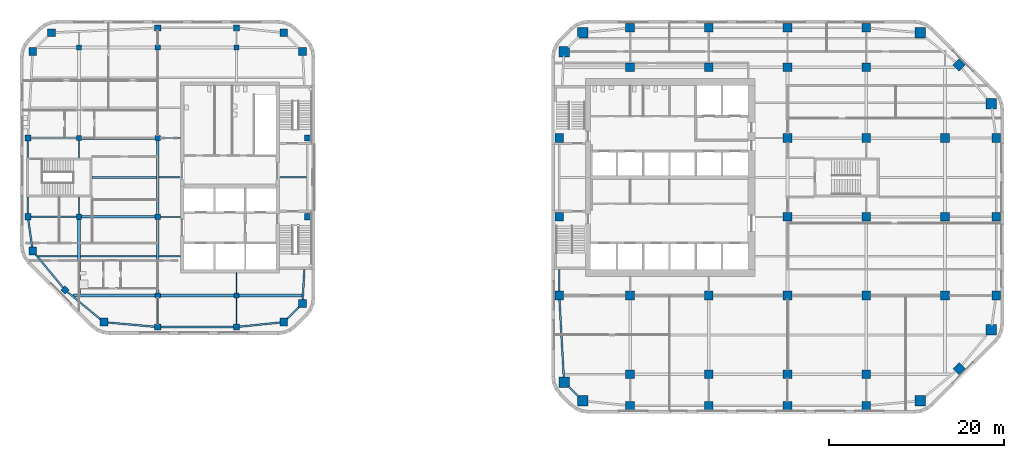
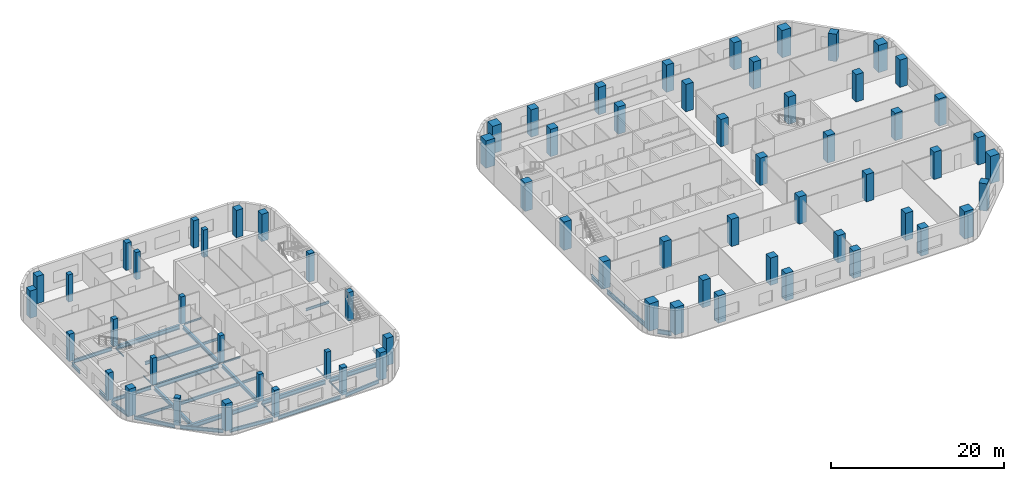
# One storey, part 1 of 14: 69 columns, 36 beams.
"""IFC4 building model written with IfcOpenShell, lengths in metres."""

from ifc_helpers import new_model, si_unit, direction, frame, origin, origin_2d, place, context, subcontext, project, spatial, rectangle, i_section, extrude, material, material_profile, profile_set, type_object, element, save


model = new_model("IFC4")

# Units and contexts
model_context = context("Model", 3, precision=1e-05, world=origin(), true_north=direction((0.0, 1.0)))
body_context = subcontext(model_context, "Body", "Model", "MODEL_VIEW")
ifc_project = project(units=[si_unit("LENGTHUNIT", "METRE"), si_unit("AREAUNIT", "SQUARE_METRE"), si_unit("VOLUMEUNIT", "CUBIC_METRE"), si_unit("PLANEANGLEUNIT", "RADIAN"), si_unit("MASSUNIT", "GRAM", prefix="KILO")], contexts=[model_context])

# Site, building, storey
site_placement = place(None, origin())
site = spatial("IfcSite", under=ifc_project, at=site_placement, CompositionType="ELEMENT")
building_placement = place(site_placement, origin())
building = spatial("IfcBuilding", under=site, at=building_placement, Name="Cinnabar Reach Civic Tower", CompositionType="ELEMENT")
storey_placement = place(building_placement, frame((0.0, 0.0, 108.0)))
storey = spatial("IfcBuildingStorey", under=building, at=storey_placement, Name="L25", CompositionType="ELEMENT", Elevation=108.0)

# Columns
ifc_material_1 = material(Name="Concrete C70", Category="concrete")
ifc_material_profile_1 = material_profile(ifc_material_1, rectangle(XDim=1.0, YDim=1.0, at=origin_2d()), Name="RC1000")
ifc_profile_set_1 = profile_set([ifc_material_profile_1], Name="Concrete C70")
column_type_1 = type_object("IfcColumnType", Name="RC1000 column R 240", PredefinedType="COLUMN", material=ifc_profile_set_1)
for number, where, z_axis, x_axis, name in (
    (1, (9.0, 5.4, 0.0), (0.0, 0.0, 1.0), (1.0, 0.0, 0.0), "Column T1-Z2-F0-1"),
    (2, (18.0, 5.4, 0.0), (0.0, 0.0, 1.0), (1.0, 0.0, 0.0), "Column T1-Z2-F0-2"),
    (3, (27.0, 5.4, 0.0), (0.0, 0.0, 1.0), (1.0, 0.0, 0.0), "Column T1-Z2-F0-3"),
    (4, (36.0, 5.4, 0.0), (0.0, 0.0, 1.0), (1.0, 0.0, 0.0), "Column T1-Z2-F0-4"),
    (5, (46.6136, 9.6364, 0.0), (0.0, 0.0, 1.0), (0.707106781187, 0.707106781187, 0.0), "Column T1-Z2-F1-M"),
    (6, (50.85, 18.0, 0.0), (0.0, 0.0, 1.0), (1.0, 0.0, 0.0), "Column T1-Z2-F2-2"),
    (7, (50.85, 27.0, 0.0), (0.0, 0.0, 1.0), (1.0, 0.0, 0.0), "Column T1-Z2-F2-3"),
    (8, (50.85, 36.0, 0.0), (0.0, 0.0, 1.0), (1.0, 0.0, 0.0), "Column T1-Z2-F2-4"),
    (9, (46.6136, 44.3636, 0.0), (0.0, 0.0, 1.0), (0.707106781187, 0.707106781187, 0.0), "Column T1-Z2-F3-M"),
    (10, (9.0, 48.6, 0.0), (0.0, 0.0, 1.0), (1.0, 0.0, 0.0), "Column T1-Z2-F4-1"),
    (11, (18.0, 48.6, 0.0), (0.0, 0.0, 1.0), (1.0, 0.0, 0.0), "Column T1-Z2-F4-2"),
    (12, (27.0, 48.6, 0.0), (0.0, 0.0, 1.0), (1.0, 0.0, 0.0), "Column T1-Z2-F4-3"),
    (13, (36.0, 48.6, 0.0), (0.0, 0.0, 1.0), (1.0, 0.0, 0.0), "Column T1-Z2-F4-4"),
    (14, (0.9, 18.0, 0.0), (0.0, 0.0, 1.0), (1.0, 0.0, 0.0), "Column T1-Z2-F6-2"),
):
    element("IfcColumn", number, at=place(storey_placement, frame(where, z_axis=z_axis, x_axis=x_axis)), inside=storey, type_object=column_type_1, Name=name, PredefinedType="COLUMN", context=body_context, shape_type="SweptSolid", body=[
        extrude(rectangle(XDim=1.0, YDim=1.0, at=origin_2d()), origin(), (0.0, 0.0, 1.0), 3.85),
    ])
for number, where, z_axis, x_axis, name in (
    (15, (0.9, 27.0, 0.0), (0.0, 0.0, 1.0), (1.0, 0.0, 0.0), "Column T1-Z2-F6-3"),
    (16, (0.9, 36.0, 0.0), (0.0, 0.0, 1.0), (1.0, 0.0, 0.0), "Column T1-Z2-F6-4"),
):
    element("IfcColumn", number, at=place(storey_placement, frame(where, z_axis=z_axis, x_axis=x_axis)), inside=storey, type_object=column_type_1, Name=name, PredefinedType="COLUMN", context=body_context, shape_type="SweptSolid", body=[
        extrude(rectangle(XDim=1.0, YDim=1.0, at=origin_2d()), origin(), (0.0, 0.0, 1.0), 4.0),
    ])
for number, where, z_axis, x_axis, name in (
    (17, (9.0, 9.0, 0.0), (0.0, 0.0, 1.0), (1.0, 0.0, 0.0), "Column T1-Z2-I9_9"),
    (18, (9.0, 18.0, 0.0), (0.0, 0.0, 1.0), (1.0, 0.0, 0.0), "Column T1-Z2-I9_18"),
    (19, (9.0, 44.1, 0.0), (0.0, 0.0, 1.0), (1.0, 0.0, 0.0), "Column T1-Z2-I9_45"),
    (20, (18.0, 9.0, 0.0), (0.0, 0.0, 1.0), (1.0, 0.0, 0.0), "Column T1-Z2-I18_9"),
    (21, (18.0, 18.0, 0.0), (0.0, 0.0, 1.0), (1.0, 0.0, 0.0), "Column T1-Z2-I18_18"),
    (22, (18.0, 44.1, 0.0), (0.0, 0.0, 1.0), (1.0, 0.0, 0.0), "Column T1-Z2-I18_45"),
    (23, (27.0, 9.0, 0.0), (0.0, 0.0, 1.0), (1.0, 0.0, 0.0), "Column T1-Z2-I27_9"),
    (24, (27.0, 18.0, 0.0), (0.0, 0.0, 1.0), (1.0, 0.0, 0.0), "Column T1-Z2-I27_18"),
    (25, (27.0, 27.0, 0.0), (0.0, 0.0, 1.0), (1.0, 0.0, 0.0), "Column T1-Z2-I27_27"),
    (26, (27.0, 36.0, 0.0), (0.0, 0.0, 1.0), (1.0, 0.0, 0.0), "Column T1-Z2-I27_36"),
    (27, (27.0, 44.1, 0.0), (0.0, 0.0, 1.0), (1.0, 0.0, 0.0), "Column T1-Z2-I27_45"),
    (28, (36.0, 9.0, 0.0), (0.0, 0.0, 1.0), (1.0, 0.0, 0.0), "Column T1-Z2-I36_9"),
    (29, (36.0, 18.0, 0.0), (0.0, 0.0, 1.0), (1.0, 0.0, 0.0), "Column T1-Z2-I36_18"),
    (30, (36.0, 27.0, 0.0), (0.0, 0.0, 1.0), (1.0, 0.0, 0.0), "Column T1-Z2-I36_27"),
    (31, (36.0, 36.0, 0.0), (0.0, 0.0, 1.0), (1.0, 0.0, 0.0), "Column T1-Z2-I36_36"),
    (32, (36.0, 44.1, 0.0), (0.0, 0.0, 1.0), (1.0, 0.0, 0.0), "Column T1-Z2-I36_45"),
    (33, (45.0, 18.0, 0.0), (0.0, 0.0, 1.0), (1.0, 0.0, 0.0), "Column T1-Z2-I45_18"),
    (34, (45.0, 27.0, 0.0), (0.0, 0.0, 1.0), (1.0, 0.0, 0.0), "Column T1-Z2-I45_27"),
    (35, (45.0, 36.0, 0.0), (0.0, 0.0, 1.0), (1.0, 0.0, 0.0), "Column T1-Z2-I45_36"),
):
    element("IfcColumn", number, at=place(storey_placement, frame(where, z_axis=z_axis, x_axis=x_axis)), inside=storey, type_object=column_type_1, Name=name, PredefinedType="COLUMN", context=body_context, shape_type="SweptSolid", body=[
        extrude(rectangle(XDim=1.0, YDim=1.0, at=origin_2d()), origin(), (0.0, 0.0, 1.0), 3.85),
    ])
ifc_material_2 = material(Name="Concrete C80", Category="concrete")
ifc_material_profile_2 = material_profile(ifc_material_2, rectangle(XDim=1.2, YDim=1.2, at=origin_2d()), Name="RC1200")
ifc_profile_set_2 = profile_set([ifc_material_profile_2], Name="Concrete C80")
column_type_2 = type_object("IfcColumnType", Name="RC1200 column R 240", PredefinedType="COLUMN", material=ifc_profile_set_2)
for number, where, z_axis, x_axis, name in (
    (36, (3.6019, 5.9531, 0.0), (0.0, 0.0, 1.0), (1.0, 0.0, 0.0), "Column T1-Z2-CC0"),
    (37, (42.1481, 5.9531, 0.0), (0.0, 0.0, 1.0), (1.0, 0.0, 0.0), "Column T1-Z2-CC1"),
    (38, (50.2969, 14.1019, 0.0), (0.0, 0.0, 1.0), (1.0, 0.0, 0.0), "Column T1-Z2-CC2"),
    (39, (50.2969, 39.8981, 0.0), (0.0, 0.0, 1.0), (1.0, 0.0, 0.0), "Column T1-Z2-CC3"),
    (40, (42.1481, 48.0469, 0.0), (0.0, 0.0, 1.0), (1.0, 0.0, 0.0), "Column T1-Z2-CC4"),
    (41, (3.6019, 48.0469, 0.0), (0.0, 0.0, 1.0), (1.0, 0.0, 0.0), "Column T1-Z2-CC5"),
    (42, (1.4531, 45.8981, 0.0), (0.0, 0.0, 1.0), (1.0, 0.0, 0.0), "Column T1-Z2-CC6"),
    (43, (1.4531, 8.1019, 0.0), (0.0, 0.0, 1.0), (1.0, 0.0, 0.0), "Column T1-Z2-CC7"),
):
    element("IfcColumn", number, at=place(storey_placement, frame(where, z_axis=z_axis, x_axis=x_axis)), inside=storey, type_object=column_type_2, Name=name, PredefinedType="COLUMN", context=body_context, shape_type="SweptSolid", body=[
        extrude(rectangle(XDim=1.2, YDim=1.2, at=origin_2d()), origin(), (0.0, 0.0, 1.0), 3.85),
    ])
ifc_material_3 = material(Name="Concrete C60", Category="concrete")
ifc_material_profile_3 = material_profile(ifc_material_3, rectangle(XDim=0.6, YDim=0.6, at=origin_2d()), Name="RC600")
ifc_profile_set_3 = profile_set([ifc_material_profile_3], Name="Concrete C60")
column_type_3 = type_object("IfcColumnType", Name="RC600 column R 180", PredefinedType="COLUMN", material=ifc_profile_set_3)
for number, where, z_axis, x_axis, name in (
    (44, (-54.0, 27.0, 0.0), (0.0, 0.0, 1.0), (1.0, 0.0, 0.0), "Column T2-Z3-I-54_27"),
    (45, (-54.0, 36.0, 0.0), (0.0, 0.0, 1.0), (1.0, 0.0, 0.0), "Column T2-Z3-I-54_36"),
    (46, (-54.0, 46.35, 0.0), (0.0, 0.0, 1.0), (1.0, 0.0, 0.0), "Column T2-Z3-I-54_45"),
    (47, (-45.0, 18.0, 0.0), (0.0, 0.0, 1.0), (1.0, 0.0, 0.0), "Column T2-Z3-I-45_18"),
    (48, (-45.0, 27.0, 0.0), (0.0, 0.0, 1.0), (1.0, 0.0, 0.0), "Column T2-Z3-I-45_27"),
    (49, (-45.0, 36.0, 0.0), (0.0, 0.0, 1.0), (1.0, 0.0, 0.0), "Column T2-Z3-I-45_36"),
    (50, (-45.0, 46.35, 0.0), (0.0, 0.0, 1.0), (1.0, 0.0, 0.0), "Column T2-Z3-I-45_45"),
    (51, (-36.0, 18.0, 0.0), (0.0, 0.0, 1.0), (1.0, 0.0, 0.0), "Column T2-Z3-I-36_18"),
    (52, (-36.0, 46.35, 0.0), (0.0, 0.0, 1.0), (1.0, 0.0, 0.0), "Column T2-Z3-I-36_45"),
):
    element("IfcColumn", number, at=place(storey_placement, frame(where, z_axis=z_axis, x_axis=x_axis)), inside=storey, type_object=column_type_3, Name=name, PredefinedType="COLUMN", context=body_context, shape_type="SweptSolid", body=[
        extrude(rectangle(XDim=0.6, YDim=0.6, at=origin_2d()), origin(), (0.0, 0.0, 1.0), 3.85),
    ])
ifc_material_profile_4 = material_profile(ifc_material_3, rectangle(XDim=0.7, YDim=0.7, at=origin_2d()), Name="RC700")
ifc_profile_set_4 = profile_set([ifc_material_profile_4], Name="Concrete C60")
column_type_4 = type_object("IfcColumnType", Name="RC700 column R 180", PredefinedType="COLUMN", material=ifc_profile_set_4)
for number, where, z_axis, x_axis, name in (
    (53, (-45.0, 14.4, 0.0), (0.0, 0.0, 1.0), (1.0, 0.0, 0.0), "Column T2-Z3-F0--5"),
    (54, (-36.0, 14.4, 0.0), (0.0, 0.0, 1.0), (1.0, 0.0, 0.0), "Column T2-Z3-F0--4"),
):
    element("IfcColumn", number, at=place(storey_placement, frame(where, z_axis=z_axis, x_axis=x_axis)), inside=storey, type_object=column_type_4, Name=name, PredefinedType="COLUMN", context=body_context, shape_type="SweptSolid", body=[
        extrude(rectangle(XDim=0.7, YDim=0.7, at=origin_2d()), origin(), (0.0, 0.0, 1.0), 3.85),
    ])
for number, where, z_axis, x_axis, name in (
    (55, (-27.9, 27.0, 0.0), (0.0, 0.0, 1.0), (1.0, 0.0, 0.0), "Column T2-Z3-F2-3"),
    (56, (-27.9, 36.0, 0.0), (0.0, 0.0, 1.0), (1.0, 0.0, 0.0), "Column T2-Z3-F2-4"),
):
    element("IfcColumn", number, at=place(storey_placement, frame(where, z_axis=z_axis, x_axis=x_axis)), inside=storey, type_object=column_type_4, Name=name, PredefinedType="COLUMN", context=body_context, shape_type="SweptSolid", body=[
        extrude(rectangle(XDim=0.7, YDim=0.7, at=origin_2d()), origin(), (0.0, 0.0, 1.0), 4.0),
    ])
for number, where, z_axis, x_axis, name in (
    (57, (-45.0, 48.6, 0.0), (0.0, 0.0, 1.0), (1.0, 0.0, 0.0), "Column T2-Z3-F4--5"),
    (58, (-36.0, 48.6, 0.0), (0.0, 0.0, 1.0), (1.0, 0.0, 0.0), "Column T2-Z3-F4--4"),
    (59, (-59.85, 27.0, 0.0), (0.0, 0.0, 1.0), (1.0, 0.0, 0.0), "Column T2-Z3-F6-3"),
    (60, (-59.85, 36.0, 0.0), (0.0, 0.0, 1.0), (1.0, 0.0, 0.0), "Column T2-Z3-F6-4"),
    (61, (-55.6136, 18.6364, 0.0), (0.0, 0.0, 1.0), (0.707106781187, 0.707106781187, 0.0), "Column T2-Z3-F7-M"),
):
    element("IfcColumn", number, at=place(storey_placement, frame(where, z_axis=z_axis, x_axis=x_axis)), inside=storey, type_object=column_type_4, Name=name, PredefinedType="COLUMN", context=body_context, shape_type="SweptSolid", body=[
        extrude(rectangle(XDim=0.7, YDim=0.7, at=origin_2d()), origin(), (0.0, 0.0, 1.0), 3.85),
    ])
ifc_material_profile_5 = material_profile(ifc_material_1, rectangle(XDim=0.9, YDim=0.9, at=origin_2d()), Name="RC900")
ifc_profile_set_5 = profile_set([ifc_material_profile_5], Name="Concrete C70")
column_type_5 = type_object("IfcColumnType", Name="RC900 column R 180", PredefinedType="COLUMN", material=ifc_profile_set_5)
for number, where, z_axis, x_axis, name in (
    (62, (-51.1481, 14.9531, 0.0), (0.0, 0.0, 1.0), (1.0, 0.0, 0.0), "Column T2-Z3-CC0"),
    (63, (-30.6019, 14.9531, 0.0), (0.0, 0.0, 1.0), (1.0, 0.0, 0.0), "Column T2-Z3-CC1"),
    (64, (-28.4531, 17.1019, 0.0), (0.0, 0.0, 1.0), (1.0, 0.0, 0.0), "Column T2-Z3-CC2"),
    (65, (-28.4531, 45.8981, 0.0), (0.0, 0.0, 1.0), (1.0, 0.0, 0.0), "Column T2-Z3-CC3"),
    (66, (-30.6019, 48.0469, 0.0), (0.0, 0.0, 1.0), (1.0, 0.0, 0.0), "Column T2-Z3-CC4"),
    (67, (-57.1481, 48.0469, 0.0), (0.0, 0.0, 1.0), (1.0, 0.0, 0.0), "Column T2-Z3-CC5"),
    (68, (-59.2969, 45.8981, 0.0), (0.0, 0.0, 1.0), (1.0, 0.0, 0.0), "Column T2-Z3-CC6"),
    (69, (-59.2969, 23.1019, 0.0), (0.0, 0.0, 1.0), (1.0, 0.0, 0.0), "Column T2-Z3-CC7"),
):
    element("IfcColumn", number, at=place(storey_placement, frame(where, z_axis=z_axis, x_axis=x_axis)), inside=storey, type_object=column_type_5, Name=name, PredefinedType="COLUMN", context=body_context, shape_type="SweptSolid", body=[
        extrude(rectangle(XDim=0.9, YDim=0.9, at=origin_2d()), origin(), (0.0, 0.0, 1.0), 3.85),
    ])

# Beams
ifc_material_4 = material(Name="Steel Q355B", Category="steel")
ifc_material_profile_6 = material_profile(ifc_material_4, i_section(OverallWidth=0.3, OverallDepth=0.488, WebThickness=0.011, FlangeThickness=0.018, FilletRadius=0.016, at=origin_2d()), Name="HM488x300x11x18")
ifc_profile_set_6 = profile_set([ifc_material_profile_6], Name="Steel Q355B")
beam_type_1 = type_object("IfcBeamType", Name="HM488x300x11x18 beam R 120", PredefinedType="BEAM", material=ifc_profile_set_6)
beam_1_placement = place(storey_placement, frame((-54.0, 18.152, -0.394), z_axis=(0.0, 1.0, 0.0), x_axis=(-1.0, 0.0, 0.0)))
element("IfcBeam", 70, at=beam_1_placement, inside=storey, type_object=beam_type_1, Name="Girder T2 L25 1", PredefinedType="BEAM", context=body_context, shape_type="SweptSolid", body=[
    extrude(i_section(OverallWidth=0.3, OverallDepth=0.488, WebThickness=0.011, FlangeThickness=0.018, FilletRadius=0.016, at=origin_2d()), origin(), (0.0, 0.0, 1.0), 8.546),
])
for number, where, z_axis, x_axis, name in (
    (71, (-45.0, 18.302, -0.394), (0.0, 1.0, 0.0), (-1.0, 0.0, 0.0), "Girder T2 L25 7"),
    (72, (-45.0, 27.302, -0.394), (0.0, 1.0, 0.0), (-1.0, 0.0, 0.0), "Girder T2 L25 8"),
):
    element("IfcBeam", number, at=place(storey_placement, frame(where, z_axis=z_axis, x_axis=x_axis)), inside=storey, type_object=beam_type_1, Name=name, PredefinedType="BEAM", context=body_context, shape_type="SweptSolid", body=[
        extrude(i_section(OverallWidth=0.3, OverallDepth=0.488, WebThickness=0.011, FlangeThickness=0.018, FilletRadius=0.016, at=origin_2d()), origin(), (0.0, 0.0, 1.0), 8.396),
    ])
ifc_material_profile_7 = material_profile(ifc_material_4, i_section(OverallWidth=0.3, OverallDepth=0.588, WebThickness=0.012, FlangeThickness=0.02, FilletRadius=0.016, at=origin_2d()), Name="HM588x300x12x20")
ifc_profile_set_7 = profile_set([ifc_material_profile_7], Name="Steel Q355B")
beam_type_2 = type_object("IfcBeamType", Name="HM588x300x12x20 beam R 120", PredefinedType="BEAM", material=ifc_profile_set_7)
beam_2_placement = place(storey_placement, frame((-54.6818, 18.0, -0.444), z_axis=(1.0, 0.0, 0.0), x_axis=(0.0, 1.0, 0.0)))
element("IfcBeam", 73, at=beam_2_placement, inside=storey, type_object=beam_type_2, Name="Girder T2 L25 1", PredefinedType="BEAM", context=body_context, shape_type="SweptSolid", body=[
    extrude(i_section(OverallWidth=0.3, OverallDepth=0.588, WebThickness=0.012, FlangeThickness=0.02, FilletRadius=0.016, at=origin_2d()), origin(), (0.0, 0.0, 1.0), 9.3798),
])
beam_3_placement = place(storey_placement, frame((-44.698, 18.0, -0.444), z_axis=(1.0, 0.0, 0.0), x_axis=(0.0, 1.0, 0.0)))
element("IfcBeam", 74, at=beam_3_placement, inside=storey, type_object=beam_type_2, Name="Girder T2 L25 2", PredefinedType="BEAM", context=body_context, shape_type="SweptSolid", body=[
    extrude(i_section(OverallWidth=0.3, OverallDepth=0.588, WebThickness=0.012, FlangeThickness=0.02, FilletRadius=0.016, at=origin_2d()), origin(), (0.0, 0.0, 1.0), 8.396),
])
beam_4_placement = place(storey_placement, frame((-35.698, 18.0, -0.444), z_axis=(1.0, 0.0, 0.0), x_axis=(0.0, 1.0, 0.0)))
element("IfcBeam", 75, at=beam_4_placement, inside=storey, type_object=beam_type_2, Name="Girder T2 L25 3", PredefinedType="BEAM", context=body_context, shape_type="SweptSolid", body=[
    extrude(i_section(OverallWidth=0.3, OverallDepth=0.588, WebThickness=0.012, FlangeThickness=0.02, FilletRadius=0.016, at=origin_2d()), origin(), (0.0, 0.0, 1.0), 7.1929),
])
for number, where, z_axis, x_axis, name in (
    (76, (-53.698, 27.0, -0.444), (1.0, 0.0, 0.0), (0.0, 1.0, 0.0), "Girder T2 L25 5"),
    (77, (-53.698, 36.0, -0.444), (1.0, 0.0, 0.0), (0.0, 1.0, 0.0), "Girder T2 L25 8"),
):
    element("IfcBeam", number, at=place(storey_placement, frame(where, z_axis=z_axis, x_axis=x_axis)), inside=storey, type_object=beam_type_2, Name=name, PredefinedType="BEAM", context=body_context, shape_type="SweptSolid", body=[
        extrude(i_section(OverallWidth=0.3, OverallDepth=0.588, WebThickness=0.012, FlangeThickness=0.02, FilletRadius=0.016, at=origin_2d()), origin(), (0.0, 0.0, 1.0), 8.396),
    ])
ifc_material_profile_8 = material_profile(ifc_material_4, i_section(OverallWidth=0.099, OverallDepth=0.198, WebThickness=0.0045, FlangeThickness=0.007, FilletRadius=0.013, at=origin_2d()), Name="HN200x100x5.5x8")
ifc_profile_set_8 = profile_set([ifc_material_profile_8], Name="Steel Q355B")
beam_type_3 = type_object("IfcBeamType", Name="HN200x100x5.5x8 beam R 120", PredefinedType="BEAM", material=ifc_profile_set_8)
for number, where, z_axis, x_axis, name in (
    (78, (-54.0, 27.302, -0.249), (0.0, 1.0, 0.0), (-1.0, 0.0, 0.0), "Girder T2 L25 2"),
    (79, (-54.0, 33.752, -0.249), (0.0, 1.0, 0.0), (-1.0, 0.0, 0.0), "Girder T2 L25 3"),
):
    element("IfcBeam", number, at=place(storey_placement, frame(where, z_axis=z_axis, x_axis=x_axis)), inside=storey, type_object=beam_type_3, Name=name, PredefinedType="BEAM", context=body_context, shape_type="SweptSolid", body=[
        extrude(i_section(OverallWidth=0.099, OverallDepth=0.198, WebThickness=0.0045, FlangeThickness=0.007, FilletRadius=0.013, at=origin_2d()), origin(), (0.0, 0.0, 1.0), 1.946),
    ])
for number, where, z_axis, x_axis, name in (
    (80, (-45.0, 14.752, -0.249), (0.0, 1.0, 0.0), (-1.0, 0.0, 0.0), "Girder T2 L25 6"),
    (81, (-36.0, 14.752, -0.249), (0.0, 1.0, 0.0), (-1.0, 0.0, 0.0), "Girder T2 L25 11"),
):
    element("IfcBeam", number, at=place(storey_placement, frame(where, z_axis=z_axis, x_axis=x_axis)), inside=storey, type_object=beam_type_3, Name=name, PredefinedType="BEAM", context=body_context, shape_type="SweptSolid", body=[
        extrude(i_section(OverallWidth=0.099, OverallDepth=0.198, WebThickness=0.0045, FlangeThickness=0.007, FilletRadius=0.013, at=origin_2d()), origin(), (0.0, 0.0, 1.0), 2.946),
    ])
beam_5_placement = place(storey_placement, frame((-36.0, 18.302, -0.249), z_axis=(0.0, 1.0, 0.0), x_axis=(-1.0, 0.0, 0.0)))
element("IfcBeam", 82, at=beam_5_placement, inside=storey, type_object=beam_type_3, Name="Girder T2 L25 12", PredefinedType="BEAM", context=body_context, shape_type="SweptSolid", body=[
    extrude(i_section(OverallWidth=0.099, OverallDepth=0.198, WebThickness=0.0045, FlangeThickness=0.007, FilletRadius=0.013, at=origin_2d()), origin(), (0.0, 0.0, 1.0), 2.296),
])
ifc_material_profile_9 = material_profile(ifc_material_4, i_section(OverallWidth=0.124, OverallDepth=0.248, WebThickness=0.005, FlangeThickness=0.008, FilletRadius=0.013, at=origin_2d()), Name="HN250x125x6x9")
ifc_profile_set_9 = profile_set([ifc_material_profile_9], Name="Steel Q355B")
beam_type_4 = type_object("IfcBeamType", Name="HN250x125x6x9 beam R 120", PredefinedType="BEAM", material=ifc_profile_set_9)
for number, where, z_axis, x_axis, name in (
    (83, (-44.698, 27.0, -0.274), (1.0, 0.0, 0.0), (0.0, 1.0, 0.0), "Girder T2 L25 6"),
    (84, (-44.698, 36.0, -0.274), (1.0, 0.0, 0.0), (0.0, 1.0, 0.0), "Girder T2 L25 9"),
):
    element("IfcBeam", number, at=place(storey_placement, frame(where, z_axis=z_axis, x_axis=x_axis)), inside=storey, type_object=beam_type_4, Name=name, PredefinedType="BEAM", context=body_context, shape_type="SweptSolid", body=[
        extrude(i_section(OverallWidth=0.124, OverallDepth=0.248, WebThickness=0.005, FlangeThickness=0.008, FilletRadius=0.013, at=origin_2d()), origin(), (0.0, 0.0, 1.0), 2.296),
    ])
ifc_material_profile_10 = material_profile(ifc_material_4, i_section(OverallWidth=0.175, OverallDepth=0.35, WebThickness=0.007, FlangeThickness=0.011, FilletRadius=0.013, at=origin_2d()), Name="HN350x175x7x11")
ifc_profile_set_10 = profile_set([ifc_material_profile_10], Name="Steel Q355B")
beam_type_5 = type_object("IfcBeamType", Name="HN350x175x7x11 beam R 120", PredefinedType="BEAM", material=ifc_profile_set_10)
beam_6_placement = place(storey_placement, frame((-58.6682, 22.5, -0.325), z_axis=(1.0, 0.0, 0.0), x_axis=(0.0, 1.0, 0.0)))
element("IfcBeam", 85, at=beam_6_placement, inside=storey, type_object=beam_type_5, Name="Secondary beam T2 L25 1", PredefinedType="BEAM", context=body_context, shape_type="SweptSolid", body=[
    extrude(i_section(OverallWidth=0.175, OverallDepth=0.35, WebThickness=0.007, FlangeThickness=0.011, FilletRadius=0.013, at=origin_2d()), origin(), (0.0, 0.0, 1.0), 4.5162),
])
for number, where, z_axis, x_axis, name in (
    (86, (-44.848, 22.5, -0.325), (1.0, 0.0, 0.0), (0.0, 1.0, 0.0), "Secondary beam T2 L25 3"),
    (87, (-44.848, 31.5, -0.325), (1.0, 0.0, 0.0), (0.0, 1.0, 0.0), "Secondary beam T2 L25 5"),
):
    element("IfcBeam", number, at=place(storey_placement, frame(where, z_axis=z_axis, x_axis=x_axis)), inside=storey, type_object=beam_type_5, Name=name, PredefinedType="BEAM", context=body_context, shape_type="SweptSolid", body=[
        extrude(i_section(OverallWidth=0.175, OverallDepth=0.35, WebThickness=0.007, FlangeThickness=0.011, FilletRadius=0.013, at=origin_2d()), origin(), (0.0, 0.0, 1.0), 2.446),
    ])
beam_7_placement = place(storey_placement, frame((-31.098, 31.5, -0.325), z_axis=(1.0, 0.0, 0.0), x_axis=(0.0, 1.0, 0.0)))
element("IfcBeam", 88, at=beam_7_placement, inside=storey, type_object=beam_type_5, Name="Secondary beam T2 L25 6", PredefinedType="BEAM", context=body_context, shape_type="SweptSolid", body=[
    extrude(i_section(OverallWidth=0.175, OverallDepth=0.35, WebThickness=0.007, FlangeThickness=0.011, FilletRadius=0.013, at=origin_2d()), origin(), (0.0, 0.0, 1.0), 3.096),
])
ifc_material_profile_11 = material_profile(ifc_material_4, i_section(OverallWidth=0.2, OverallDepth=0.45, WebThickness=0.009, FlangeThickness=0.014, FilletRadius=0.016, at=origin_2d()), Name="HN450x200x9x14")
ifc_profile_set_11 = profile_set([ifc_material_profile_11], Name="Steel Q355B")
beam_type_6 = type_object("IfcBeamType", Name="HN450x200x9x14 beam R 120", PredefinedType="BEAM", material=ifc_profile_set_11)
beam_8_placement = place(storey_placement, frame((-53.848, 22.5, -0.375), z_axis=(1.0, 0.0, 0.0), x_axis=(0.0, 1.0, 0.0)))
element("IfcBeam", 89, at=beam_8_placement, inside=storey, type_object=beam_type_6, Name="Secondary beam T2 L25 2", PredefinedType="BEAM", context=body_context, shape_type="SweptSolid", body=[
    extrude(i_section(OverallWidth=0.2, OverallDepth=0.45, WebThickness=0.009, FlangeThickness=0.014, FilletRadius=0.016, at=origin_2d()), origin(), (0.0, 0.0, 1.0), 8.696),
])
beam_9_placement = place(storey_placement, frame((-52.498, 31.5, -0.375), z_axis=(1.0, 0.0, 0.0), x_axis=(0.0, 1.0, 0.0)))
element("IfcBeam", 90, at=beam_9_placement, inside=storey, type_object=beam_type_6, Name="Secondary beam T2 L25 4", PredefinedType="BEAM", context=body_context, shape_type="SweptSolid", body=[
    extrude(i_section(OverallWidth=0.2, OverallDepth=0.45, WebThickness=0.009, FlangeThickness=0.014, FilletRadius=0.016, at=origin_2d()), origin(), (0.0, 0.0, 1.0), 7.346),
])
ifc_material_profile_12 = material_profile(ifc_material_4, i_section(OverallWidth=0.2, OverallDepth=0.5, WebThickness=0.01, FlangeThickness=0.016, FilletRadius=0.016, at=origin_2d()), Name="HN500x200x10x16")
ifc_profile_set_12 = profile_set([ifc_material_profile_12], Name="Steel Q355B")
beam_type_7 = type_object("IfcBeamType", Name="HN500x200x10x16 beam R 120", PredefinedType="BEAM", material=ifc_profile_set_12)
beam_10_placement = place(storey_placement, frame((-50.8161, 14.9232, -0.4), z_axis=(0.99597881512, -0.089589060894, 0.0), x_axis=(0.089589060894, 0.99597881512, 0.0)))
element("IfcBeam", 91, at=beam_10_placement, inside=storey, type_object=beam_type_7, Name="Edge beam T2 L25 1", PredefinedType="BEAM", context=body_context, shape_type="SweptSolid", body=[
    extrude(i_section(OverallWidth=0.2, OverallDepth=0.5, WebThickness=0.01, FlangeThickness=0.016, FilletRadius=0.016, at=origin_2d()), origin(), (0.0, 0.0, 1.0), 5.4862),
])
beam_11_placement = place(storey_placement, frame((-44.648, 14.4, -0.4), z_axis=(1.0, 0.0, 0.0), x_axis=(0.0, 1.0, 0.0)))
element("IfcBeam", 92, at=beam_11_placement, inside=storey, type_object=beam_type_7, Name="Edge beam T2 L25 2", PredefinedType="BEAM", context=body_context, shape_type="SweptSolid", body=[
    extrude(i_section(OverallWidth=0.2, OverallDepth=0.5, WebThickness=0.01, FlangeThickness=0.016, FilletRadius=0.016, at=origin_2d()), origin(), (0.0, 0.0, 1.0), 8.296),
])
beam_12_placement = place(storey_placement, frame((-35.648, 14.4361, -0.4), z_axis=(0.994792087401, 0.101924986363, 0.0), x_axis=(-0.101924986363, 0.994792087401, 0.0)))
element("IfcBeam", 93, at=beam_12_placement, inside=storey, type_object=beam_type_7, Name="Edge beam T2 L25 3", PredefinedType="BEAM", context=body_context, shape_type="SweptSolid", body=[
    extrude(i_section(OverallWidth=0.2, OverallDepth=0.5, WebThickness=0.01, FlangeThickness=0.016, FilletRadius=0.016, at=origin_2d()), origin(), (0.0, 0.0, 1.0), 4.7388),
])
beam_13_placement = place(storey_placement, frame((-30.2699, 15.2851, -0.4), z_axis=(0.707106781187, 0.707106781187, 0.0), x_axis=(-0.707106781187, 0.707106781187, 0.0)))
element("IfcBeam", 94, at=beam_13_placement, inside=storey, type_object=beam_type_7, Name="Edge beam T2 L25 4", PredefinedType="BEAM", context=body_context, shape_type="SweptSolid", body=[
    extrude(i_section(OverallWidth=0.2, OverallDepth=0.5, WebThickness=0.01, FlangeThickness=0.016, FilletRadius=0.016, at=origin_2d()), origin(), (0.0, 0.0, 1.0), 2.0998),
])
beam_14_placement = place(storey_placement, frame((-28.4345, 17.4339, -0.4), z_axis=(0.055775670196, 0.99844332569, 0.0), x_axis=(-0.99844332569, 0.055775670196, 0.0)))
element("IfcBeam", 95, at=beam_14_placement, inside=storey, type_object=beam_type_7, Name="Edge beam T2 L25 5", PredefinedType="BEAM", context=body_context, shape_type="SweptSolid", body=[
    extrude(i_section(OverallWidth=0.2, OverallDepth=0.5, WebThickness=0.01, FlangeThickness=0.016, FilletRadius=0.016, at=origin_2d()), origin(), (0.0, 0.0, 1.0), 3.5697),
])
for number, where, z_axis, x_axis, name in (
    (96, (-59.85, 35.648, -0.4), (0.0, -1.0, 0.0), (1.0, 0.0, 0.0), "Edge beam T2 L25 14"),
    (97, (-59.85, 29.248, -0.4), (0.0, -1.0, 0.0), (1.0, 0.0, 0.0), "Edge beam T2 L25 15"),
):
    element("IfcBeam", number, at=place(storey_placement, frame(where, z_axis=z_axis, x_axis=x_axis)), inside=storey, type_object=beam_type_7, Name=name, PredefinedType="BEAM", context=body_context, shape_type="SweptSolid", body=[
        extrude(i_section(OverallWidth=0.2, OverallDepth=0.5, WebThickness=0.01, FlangeThickness=0.016, FilletRadius=0.016, at=origin_2d()), origin(), (0.0, 0.0, 1.0), 1.896),
    ])
beam_15_placement = place(storey_placement, frame((-59.8001, 26.648, -0.4), z_axis=(0.140498398047, -0.990080905859, 0.0), x_axis=(0.990080905859, 0.140498398047, 0.0)))
element("IfcBeam", 98, at=beam_15_placement, inside=storey, type_object=beam_type_7, Name="Edge beam T2 L25 16", PredefinedType="BEAM", context=body_context, shape_type="SweptSolid", body=[
    extrude(i_section(OverallWidth=0.2, OverallDepth=0.5, WebThickness=0.01, FlangeThickness=0.016, FilletRadius=0.016, at=origin_2d()), origin(), (0.0, 0.0, 1.0), 3.2463),
])
for number, where, z_axis, x_axis, name in (
    (99, (-59.0231, 22.7699, -0.4), (0.636307764727, -0.771435304189, 0.0), (0.771435304189, 0.636307764727, 0.0), "Edge beam T2 L25 17"),
    (100, (-55.3873, 18.4497, -0.4), (0.771435304189, -0.636307764727, 0.0), (0.636307764727, 0.771435304189, 0.0), "Edge beam T2 L25 18"),
):
    element("IfcBeam", number, at=place(storey_placement, frame(where, z_axis=z_axis, x_axis=x_axis)), inside=storey, type_object=beam_type_7, Name=name, PredefinedType="BEAM", context=body_context, shape_type="SweptSolid", body=[
        extrude(i_section(OverallWidth=0.2, OverallDepth=0.5, WebThickness=0.01, FlangeThickness=0.016, FilletRadius=0.016, at=origin_2d()), origin(), (0.0, 0.0, 1.0), 5.0648),
    ])
for number, where, z_axis, x_axis, name in (
    (101, (-59.498, 27.0, -0.4), (1.0, 0.0, 0.0), (0.0, 1.0, 0.0), "Girder T2 L25 4"),
    (102, (-59.498, 36.0, -0.4), (1.0, 0.0, 0.0), (0.0, 1.0, 0.0), "Girder T2 L25 7"),
):
    element("IfcBeam", number, at=place(storey_placement, frame(where, z_axis=z_axis, x_axis=x_axis)), inside=storey, type_object=beam_type_7, Name=name, PredefinedType="BEAM", context=body_context, shape_type="SweptSolid", body=[
        extrude(i_section(OverallWidth=0.2, OverallDepth=0.5, WebThickness=0.01, FlangeThickness=0.016, FilletRadius=0.016, at=origin_2d()), origin(), (0.0, 0.0, 1.0), 5.196),
    ])
ifc_material_profile_13 = material_profile(ifc_material_4, i_section(OverallWidth=0.2, OverallDepth=0.6, WebThickness=0.011, FlangeThickness=0.017, FilletRadius=0.016, at=origin_2d()), Name="HN600x200x11x17")
ifc_profile_set_13 = profile_set([ifc_material_profile_13], Name="Steel Q355B")
beam_type_8 = type_object("IfcBeamType", Name="HN600x200x11x17 beam R 180", PredefinedType="BEAM", material=ifc_profile_set_13)
beam_16_placement = place(storey_placement, frame((0.9, 20.998, -0.45), z_axis=(0.0, -1.0, 0.0), x_axis=(1.0, 0.0, 0.0)))
element("IfcBeam", 103, at=beam_16_placement, inside=storey, type_object=beam_type_8, Name="Edge beam T1 L25 22", PredefinedType="BEAM", context=body_context, shape_type="SweptSolid", body=[
    extrude(i_section(OverallWidth=0.2, OverallDepth=0.6, WebThickness=0.011, FlangeThickness=0.017, FilletRadius=0.016, at=origin_2d()), origin(), (0.0, 0.0, 1.0), 2.496),
])
beam_17_placement = place(storey_placement, frame((0.9281, 17.498, -0.45), z_axis=(0.055790736166, -0.998442483951, 0.0), x_axis=(0.998442483951, 0.055790736166, 0.0)))
element("IfcBeam", 104, at=beam_17_placement, inside=storey, type_object=beam_type_8, Name="Edge beam T1 L25 23", PredefinedType="BEAM", context=body_context, shape_type="SweptSolid", body=[
    extrude(i_section(OverallWidth=0.2, OverallDepth=0.6, WebThickness=0.011, FlangeThickness=0.017, FilletRadius=0.016, at=origin_2d()), origin(), (0.0, 0.0, 1.0), 8.928),
])
beam_18_placement = place(storey_placement, frame((1.9351, 7.6199, -0.45), z_axis=(0.707106781187, -0.707106781187, 0.0), x_axis=(0.707106781187, 0.707106781187, 0.0)))
element("IfcBeam", 105, at=beam_18_placement, inside=storey, type_object=beam_type_8, Name="Edge beam T1 L25 24", PredefinedType="BEAM", context=body_context, shape_type="SweptSolid", body=[
    extrude(i_section(OverallWidth=0.2, OverallDepth=0.6, WebThickness=0.011, FlangeThickness=0.017, FilletRadius=0.016, at=origin_2d()), origin(), (0.0, 0.0, 1.0), 1.6756),
])

save(model, "model.ifc")
